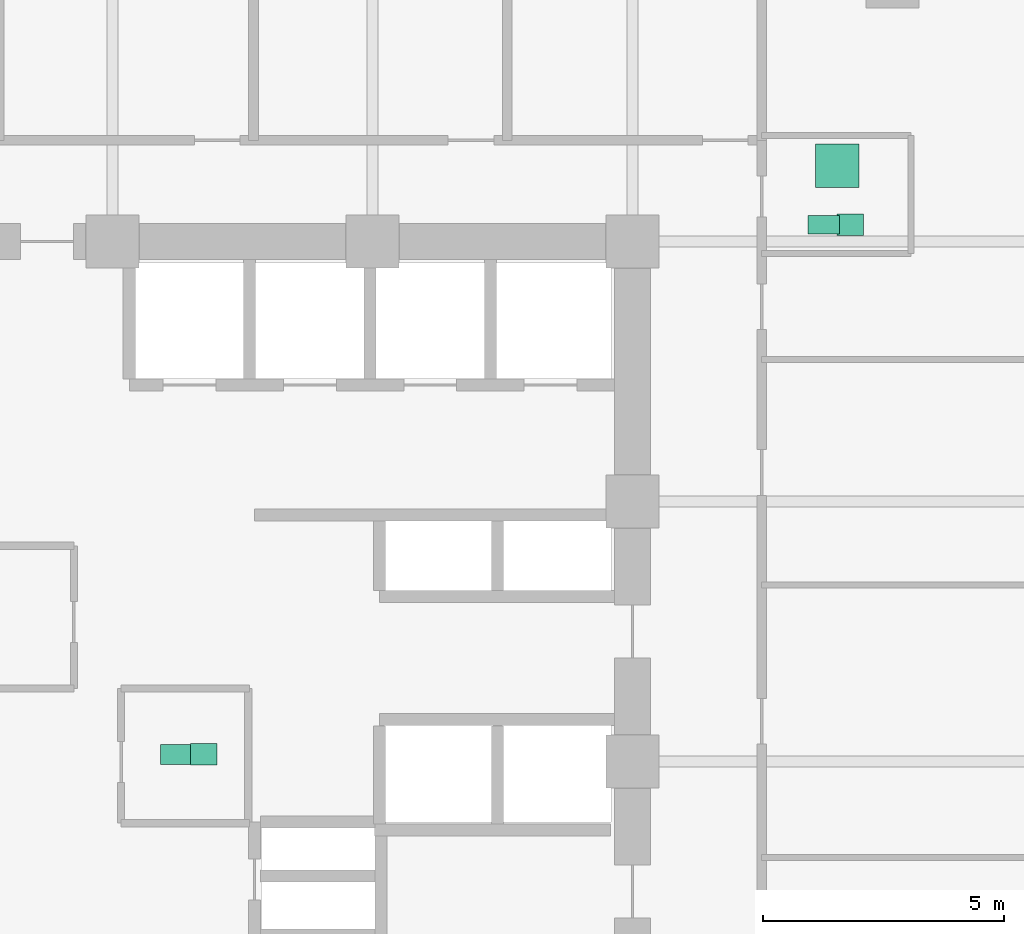
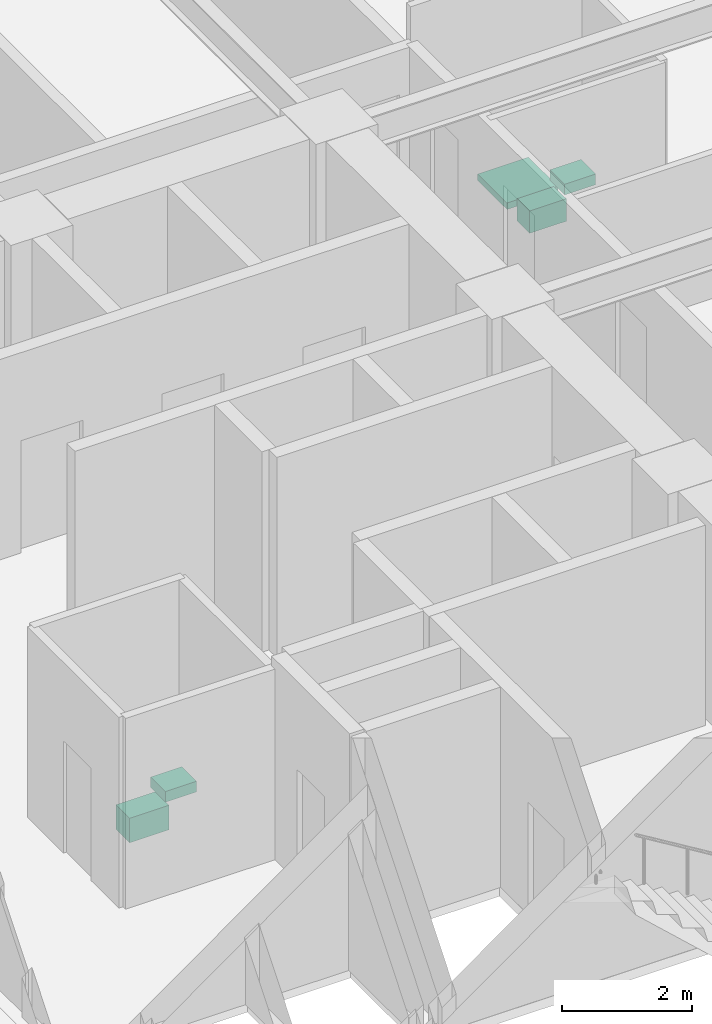
# One storey, part 25 of 25: 5 sanitary terminals.
"""IFC4 building model written with IfcOpenShell, lengths in metres."""

from ifc_helpers import new_model, si_unit, direction, frame, origin, origin_2d, place, context, subcontext, project, spatial, rectangle, extrude, material, type_object, element, save


model = new_model("IFC4")

# Units and contexts
model_context = context("Model", 3, precision=1e-05, world=origin(), true_north=direction((0.0, 1.0)))
body_context = subcontext(model_context, "Body", "Model", "MODEL_VIEW")
ifc_project = project(units=[si_unit("LENGTHUNIT", "METRE"), si_unit("AREAUNIT", "SQUARE_METRE"), si_unit("VOLUMEUNIT", "CUBIC_METRE"), si_unit("PLANEANGLEUNIT", "RADIAN"), si_unit("MASSUNIT", "GRAM", prefix="KILO")], contexts=[model_context])

# Site, building, storey
site_placement = place(None, origin())
site = spatial("IfcSite", under=ifc_project, at=site_placement, CompositionType="ELEMENT")
building_placement = place(site_placement, origin())
building = spatial("IfcBuilding", under=site, at=building_placement, Name="Surkhivell Harbour Commons", CompositionType="ELEMENT")
storey_placement = place(building_placement, frame((0.0, 0.0, 117.0)))
storey = spatial("IfcBuildingStorey", under=building, at=storey_placement, Name="L30", CompositionType="ELEMENT", Elevation=117.0)

# Sanitary terminals
ifc_material_1 = material(Name="Vitreous china washbasin", Category="other")
sanitary_terminal_type_1 = type_object("IfcSanitaryTerminalType", Name="SAN-BSN", PredefinedType="WASHHANDBASIN", material=ifc_material_1)
for number, where, z_axis, x_axis, name in (
    (1, (1.89990234375, 0.14990234375, 0.72021484375), (0.0, 0.0, 1.0), (1.0, 0.0, 0.0), "L30 Core Accessible WC Washbasin"),
    (2, (15.320068359375, 11.14990234375, 0.72021484375), (0.0, 0.0, 1.0), (1.0, 0.0, 0.0), "L30 East Communal Bathroom WC Washbasin"),
):
    element("IfcSanitaryTerminal", number, at=place(storey_placement, frame(where, z_axis=z_axis, x_axis=x_axis)), inside=storey, type_object=sanitary_terminal_type_1, Name=name, PredefinedType="WASHHANDBASIN", context=body_context, shape_type="SweptSolid", body=[
        extrude(rectangle(XDim=0.550048828125, YDim=0.449951171875, at=origin_2d()), origin(), (0.0, 0.0, 1.0), 0.199951171875),
    ])
ifc_material_2 = material(Name="Glazed porcelain shower tray", Category="other")
sanitary_terminal_type_2 = type_object("IfcSanitaryTerminalType", Name="SAN-SHW", PredefinedType="SHOWER", material=ifc_material_2)
sanitary_terminal_1_placement = place(storey_placement, frame((15.050048828125, 12.3701171875, 0.0), z_axis=(0.0, 0.0, 1.0), x_axis=(1.0, 0.0, 0.0)))
element("IfcSanitaryTerminal", 3, at=sanitary_terminal_1_placement, inside=storey, type_object=sanitary_terminal_type_2, Name="L30 East Communal Shower Tray", PredefinedType="SHOWER", context=body_context, shape_type="SweptSolid", body=[
    extrude(rectangle(XDim=0.89990234375, YDim=0.89990234375, at=origin_2d()), origin(), (0.0, 0.0, 1.0), 0.1201171875),
])
ifc_material_3 = material(Name="Vitreous china sanitaryware", Category="other")
sanitary_terminal_type_3 = type_object("IfcSanitaryTerminalType", Name="SAN-WC-ACC", PredefinedType="TOILETPAN", material=ifc_material_3)
sanitary_terminal_2_placement = place(storey_placement, frame((1.35009765625, 0.14990234375, 0.169921875), z_axis=(0.0, 0.0, 1.0), x_axis=(1.0, 0.0, 0.0)))
element("IfcSanitaryTerminal", 4, at=sanitary_terminal_2_placement, inside=storey, type_object=sanitary_terminal_type_3, Name="L30 Core Accessible WC", PredefinedType="TOILETPAN", context=body_context, shape_type="SweptSolid", body=[
    extrude(rectangle(XDim=0.699951171875, YDim=0.419921875, at=origin_2d()), origin(), (0.0, 0.0, 1.0), 0.4599609375),
])
sanitary_terminal_type_4 = type_object("IfcSanitaryTerminalType", Name="SAN-WC-STD", PredefinedType="TOILETPAN", material=ifc_material_3)
sanitary_terminal_3_placement = place(storey_placement, frame((14.77001953125, 11.14990234375, 0.18994140625), z_axis=(0.0, 0.0, 1.0), x_axis=(1.0, 0.0, 0.0)))
element("IfcSanitaryTerminal", 5, at=sanitary_terminal_3_placement, inside=storey, type_object=sanitary_terminal_type_4, Name="L30 East Communal Bathroom WC", PredefinedType="TOILETPAN", context=body_context, shape_type="SweptSolid", body=[
    extrude(rectangle(XDim=0.64990234375, YDim=0.3798828125, at=origin_2d()), origin(), (0.0, 0.0, 1.0), 0.419921875),
])

save(model, "model.ifc")
